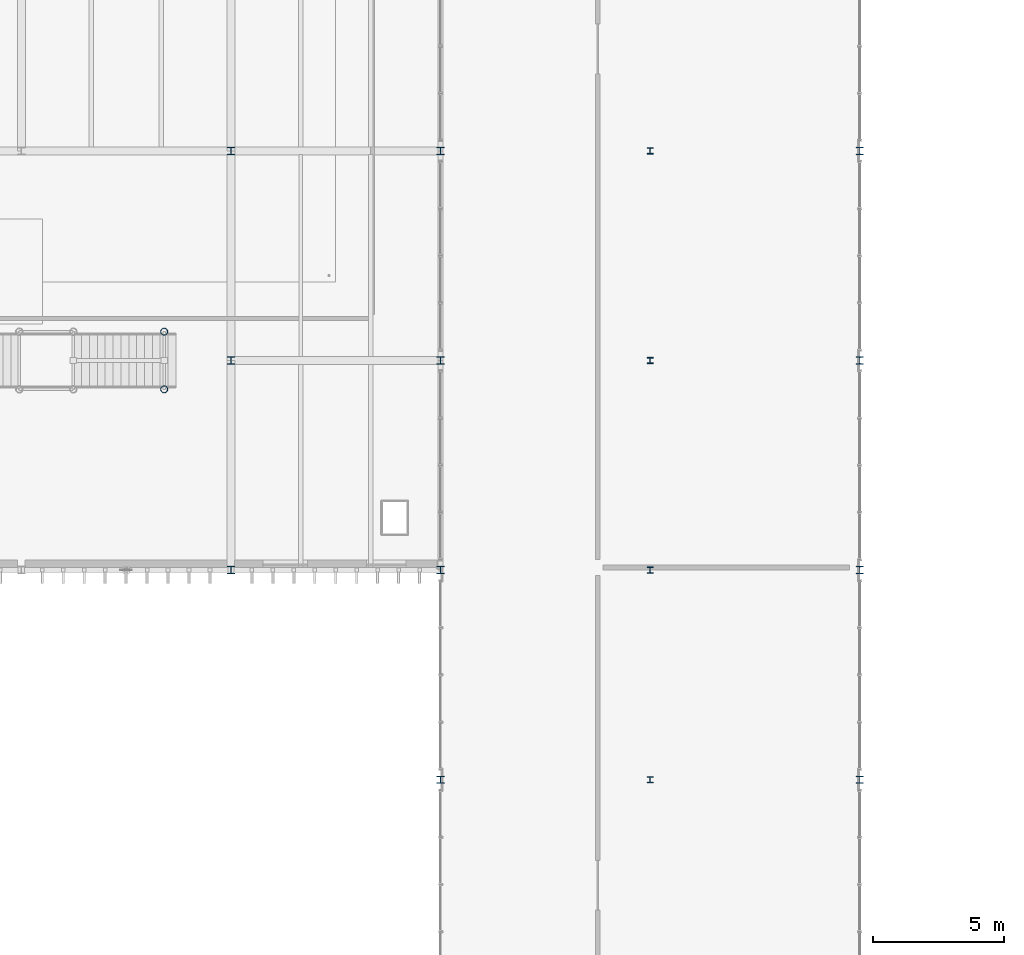
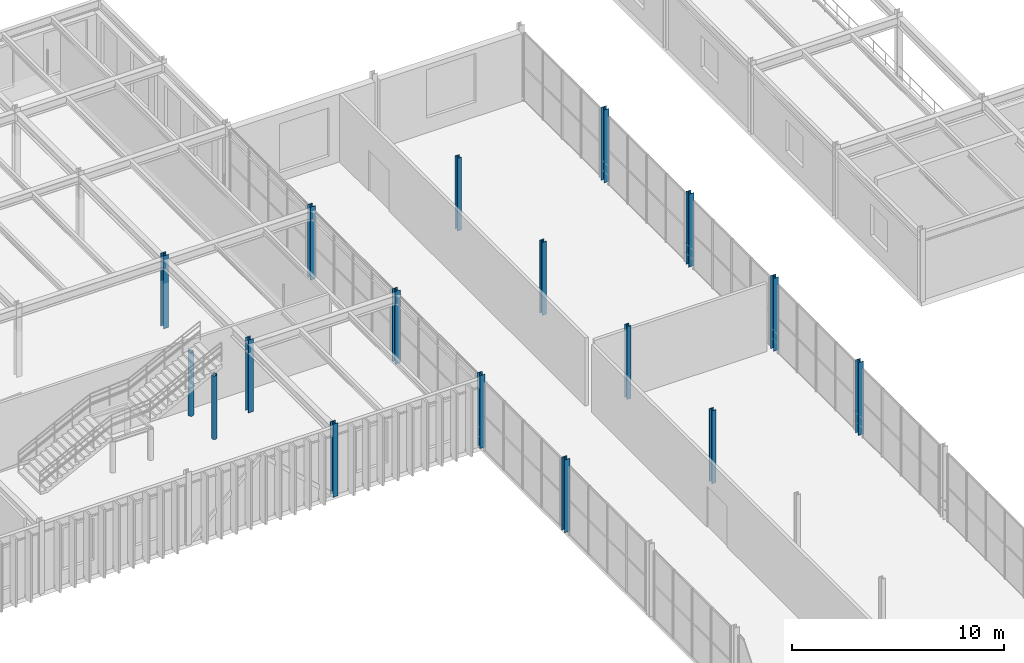
# One storey, part 11 of 122: 17 columns.
"""IFC4 building model written with IfcOpenShell, lengths in metres."""

from ifc_helpers import new_model, si_unit, direction, frame, origin, origin_2d, place, context, subcontext, project, spatial, hollow_circle, i_section, extrude, material, material_profile, profile_set, type_object, element, save


model = new_model("IFC4")

# Units and contexts
model_context = context("Model", 3, precision=1e-05, world=origin(), true_north=direction((0.0, 1.0)))
body_context = subcontext(model_context, "Body", "Model", "MODEL_VIEW")
ifc_project = project(units=[si_unit("LENGTHUNIT", "METRE"), si_unit("AREAUNIT", "SQUARE_METRE"), si_unit("VOLUMEUNIT", "CUBIC_METRE"), si_unit("PLANEANGLEUNIT", "RADIAN"), si_unit("MASSUNIT", "GRAM", prefix="KILO")], contexts=[model_context])

# Site, building, storey
site_placement = place(None, origin())
site = spatial("IfcSite", under=ifc_project, at=site_placement, CompositionType="ELEMENT")
building_placement = place(site_placement, origin())
building = spatial("IfcBuilding", under=site, at=building_placement, Name="Sundkrona Museum", CompositionType="ELEMENT")
storey_placement = place(building_placement, frame((0.0, 0.0, 5.39990234375)))
storey = spatial("IfcBuildingStorey", under=building, at=storey_placement, Name="L01", CompositionType="ELEMENT", Elevation=5.39990234375)

# Columns
ifc_material = material(Name="Steel S355J2", Category="steel")
ifc_material_profile_1 = material_profile(ifc_material, hollow_circle(Radius=0.136474609375, WallThickness=0.012451171875, at=origin_2d()), Name="CHS 273.0x12.5")
ifc_profile_set_1 = profile_set([ifc_material_profile_1], Name="Steel S355J2")
column_type_1 = type_object("IfcColumnType", Name="C-CHS273", PredefinedType="COLUMN", material=ifc_profile_set_1)
for number, where, z_axis, x_axis, name in (
    (1, (69.449951171875, 84.89990234375, 0.0), (0.0, 0.0, 1.0), (1.0, 0.0, 0.0), "L01 Feature Stair FS-6 Column S3-1"),
    (2, (69.449951171875, 87.10009765625, 0.0), (0.0, 0.0, 1.0), (1.0, 0.0, 0.0), "L01 Feature Stair FS-6 Column S3-2"),
):
    element("IfcColumn", number, at=place(storey_placement, frame(where, z_axis=z_axis, x_axis=x_axis)), inside=storey, type_object=column_type_1, Name=name, PredefinedType="COLUMN", context=body_context, shape_type="SweptSolid", body=[
        extrude(hollow_circle(Radius=0.136474609375, WallThickness=0.012451171875, at=origin_2d()), origin(), (0.0, 0.0, 1.0), 3.66015625),
    ])
ifc_material_profile_2 = material_profile(ifc_material, i_section(OverallWidth=0.280029296875, OverallDepth=0.280029296875, WebThickness=0.010498046875, FlangeThickness=0.01806640625, FilletRadius=0.02392578125, at=origin_2d()), Name="HEB 280")
ifc_profile_set_2 = profile_set([ifc_material_profile_2], Name="Steel S355J2")
column_type_2 = type_object("IfcColumnType", Name="C-HEB280", PredefinedType="COLUMN", material=ifc_profile_set_2)
for number, where, z_axis, x_axis, name in (
    (3, (72.0, 78.0, 0.0), (0.0, 0.0, 1.0), (1.0, 0.0, 0.0), "L01 Column L/10"),
    (4, (72.0, 86.0, 0.0), (0.0, 0.0, 1.0), (1.0, 0.0, 0.0), "L01 Column M/10"),
    (5, (72.0, 94.0, 0.0), (0.0, 0.0, 1.0), (1.0, 0.0, 0.0), "L01 Column N/10"),
    (6, (80.0, 70.0, 0.0), (0.0, 0.0, 1.0), (1.0, 0.0, 0.0), "L01 Column K/11"),
    (7, (80.0, 78.0, 0.0), (0.0, 0.0, 1.0), (1.0, 0.0, 0.0), "L01 Column L/11"),
    (8, (80.0, 86.0, 0.0), (0.0, 0.0, 1.0), (1.0, 0.0, 0.0), "L01 Column M/11"),
    (9, (80.0, 94.0, 0.0), (0.0, 0.0, 1.0), (1.0, 0.0, 0.0), "L01 Column N/11"),
    (10, (96.0, 70.0, 0.0), (0.0, 0.0, 1.0), (1.0, 0.0, 0.0), "L01 Column K/13"),
    (11, (96.0, 78.0, 0.0), (0.0, 0.0, 1.0), (1.0, 0.0, 0.0), "L01 Column L/13"),
    (12, (96.0, 86.0, 0.0), (0.0, 0.0, 1.0), (1.0, 0.0, 0.0), "L01 Column M/13"),
    (13, (96.0, 94.0, 0.0), (0.0, 0.0, 1.0), (1.0, 0.0, 0.0), "L01 Column N/13"),
):
    element("IfcColumn", number, at=place(storey_placement, frame(where, z_axis=z_axis, x_axis=x_axis)), inside=storey, type_object=column_type_2, Name=name, PredefinedType="COLUMN", context=body_context, shape_type="SweptSolid", body=[
        extrude(i_section(OverallWidth=0.280029296875, OverallDepth=0.280029296875, WebThickness=0.010498046875, FlangeThickness=0.01806640625, FilletRadius=0.02392578125, at=origin_2d()), origin(), (0.0, 0.0, 1.0), 4.2001953125),
    ])
ifc_material_profile_3 = material_profile(ifc_material, i_section(OverallWidth=0.22607421875, OverallDepth=0.239990234375, WebThickness=0.015380859375, FlangeThickness=0.02587890625, FilletRadius=0.01806640625, at=origin_2d()), Name="HEM 220")
ifc_profile_set_3 = profile_set([ifc_material_profile_3], Name="Steel S355J2")
column_type_3 = type_object("IfcColumnType", Name="C-HEM220", PredefinedType="COLUMN", material=ifc_profile_set_3)
for number, where, z_axis, x_axis, name in (
    (14, (88.0, 70.0, 0.0), (0.0, 0.0, 1.0), (1.0, 0.0, 0.0), "L01 Column K/12"),
    (15, (88.0, 78.0, 0.0), (0.0, 0.0, 1.0), (1.0, 0.0, 0.0), "L01 Column L/12"),
    (16, (88.0, 86.0, 0.0), (0.0, 0.0, 1.0), (1.0, 0.0, 0.0), "L01 Column M/12"),
    (17, (88.0, 94.0, 0.0), (0.0, 0.0, 1.0), (1.0, 0.0, 0.0), "L01 Column N/12"),
):
    element("IfcColumn", number, at=place(storey_placement, frame(where, z_axis=z_axis, x_axis=x_axis)), inside=storey, type_object=column_type_3, Name=name, PredefinedType="COLUMN", context=body_context, shape_type="SweptSolid", body=[
        extrude(i_section(OverallWidth=0.22607421875, OverallDepth=0.239990234375, WebThickness=0.015380859375, FlangeThickness=0.02587890625, FilletRadius=0.01806640625, at=origin_2d()), origin(), (0.0, 0.0, 1.0), 4.2001953125),
    ])

save(model, "model.ifc")
